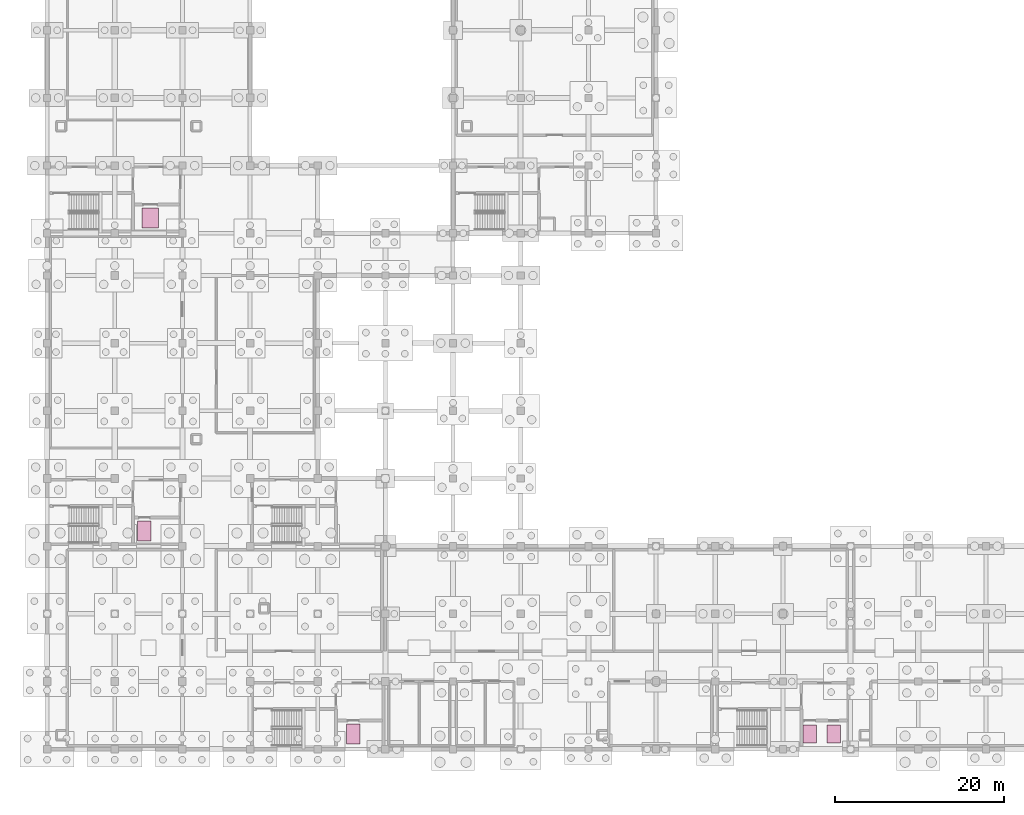
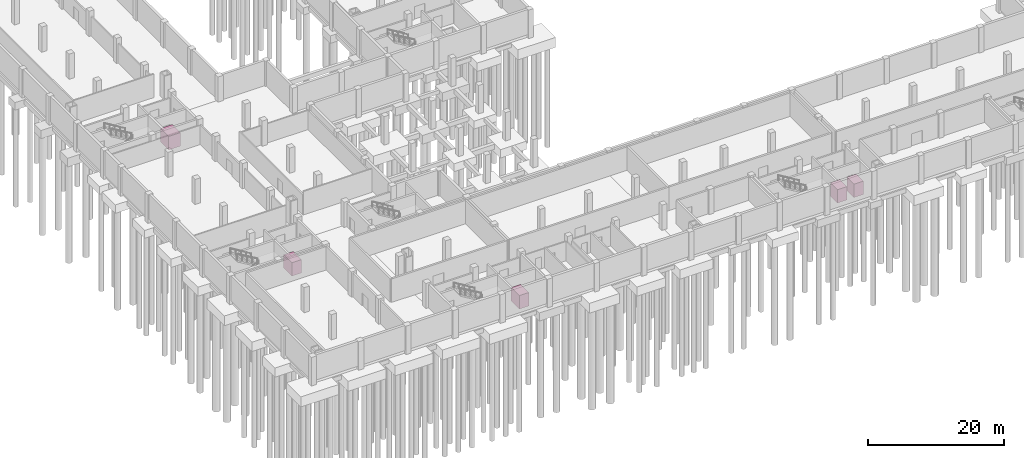
# One storey, part 26 of 26: 5 transport elements.
"""IFC4 building model written with IfcOpenShell, lengths in metres."""

from ifc_helpers import new_model, si_unit, direction, frame, origin, origin_2d, place, context, subcontext, project, spatial, rectangle, extrude, material, type_object, element, save


model = new_model("IFC4")

# Units and contexts
model_context = context("Model", 3, precision=1e-05, world=origin(), true_north=direction((0.0, 1.0)))
body_context = subcontext(model_context, "Body", "Model", "MODEL_VIEW")
ifc_project = project(units=[si_unit("LENGTHUNIT", "METRE"), si_unit("AREAUNIT", "SQUARE_METRE"), si_unit("VOLUMEUNIT", "CUBIC_METRE"), si_unit("PLANEANGLEUNIT", "RADIAN"), si_unit("MASSUNIT", "GRAM", prefix="KILO")], contexts=[model_context])

# Site, building, storey
site_placement = place(None, origin())
site = spatial("IfcSite", under=ifc_project, at=site_placement, CompositionType="ELEMENT")
building_placement = place(site_placement, origin())
building = spatial("IfcBuilding", under=site, at=building_placement, Name="Qorikala Patio Media Centre", CompositionType="ELEMENT")
storey_placement = place(building_placement, frame((0.0, 0.0, -4.5)))
storey = spatial("IfcBuildingStorey", under=building, at=storey_placement, Name="B1", CompositionType="ELEMENT", Elevation=-4.5)

# Transport elements
ifc_material_1 = material(Name="Fire-Rated Stainless Steel", Category="steel")
transport_element_type_1 = type_object("IfcTransportElementType", Name="LIFT-FF", PredefinedType="ELEVATOR", material=ifc_material_1)
for number, where, z_axis, x_axis, name in (
    (1, (39.199951171875, 4.800048828125, 0.0), (0.0, 0.0, 1.0), (1.0, 0.0, 0.0), "Elevator Car LF-01"),
    (2, (14.5, 28.800048828125, 0.0), (0.0, 0.0, 1.0), (1.0, 0.0, 0.0), "Elevator Car LF-02"),
):
    element("IfcTransportElement", number, at=place(storey_placement, frame(where, z_axis=z_axis, x_axis=x_axis)), inside=storey, type_object=transport_element_type_1, Name=name, PredefinedType="ELEVATOR", context=body_context, shape_type="SweptSolid", body=[
        extrude(rectangle(XDim=1.60009765625, YDim=2.39990234375, at=origin_2d()), origin(), (0.0, 0.0, 1.0), 2.39990234375),
    ])
ifc_material_2 = material(Name="Heavy Duty Stainless Steel", Category="steel")
transport_element_type_2 = type_object("IfcTransportElementType", Name="LIFT-GDS", PredefinedType="ELEVATOR", material=ifc_material_2)
transport_element_placement = place(storey_placement, frame((15.199951171875, 65.800048828125, 0.0), z_axis=(0.0, 0.0, 1.0), x_axis=(1.0, 0.0, 0.0)))
element("IfcTransportElement", 3, at=transport_element_placement, inside=storey, type_object=transport_element_type_2, Name="Elevator Car LS-01", PredefinedType="ELEVATOR", context=body_context, shape_type="SweptSolid", body=[
    extrude(rectangle(XDim=2.0, YDim=2.39990234375, at=origin_2d()), origin(), (0.0, 0.0, 1.0), 2.39990234375),
])
ifc_material_3 = material(Name="Brushed Bronze Stainless Steel", Category="steel")
transport_element_type_3 = type_object("IfcTransportElementType", Name="LIFT-PAX", PredefinedType="ELEVATOR", material=ifc_material_3)
for number, where, z_axis, x_axis, name in (
    (4, (93.199951171875, 4.800048828125, 0.0), (0.0, 0.0, 1.0), (1.0, 0.0, 0.0), "Elevator Car LP-01"),
    (5, (96.0, 4.800048828125, 0.0), (0.0, 0.0, 1.0), (1.0, 0.0, 0.0), "Elevator Car LP-02"),
):
    element("IfcTransportElement", number, at=place(storey_placement, frame(where, z_axis=z_axis, x_axis=x_axis)), inside=storey, type_object=transport_element_type_3, Name=name, PredefinedType="ELEVATOR", context=body_context, shape_type="SweptSolid", body=[
        extrude(rectangle(XDim=1.60009765625, YDim=2.10009765625, at=origin_2d()), origin(), (0.0, 0.0, 1.0), 2.39990234375),
    ])

save(model, "model.ifc")
